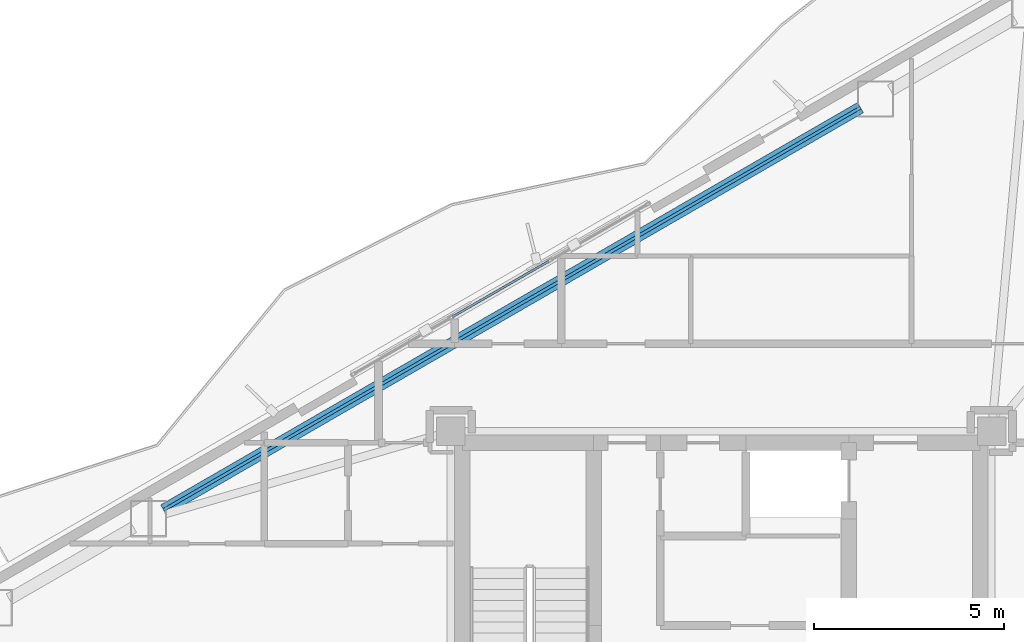
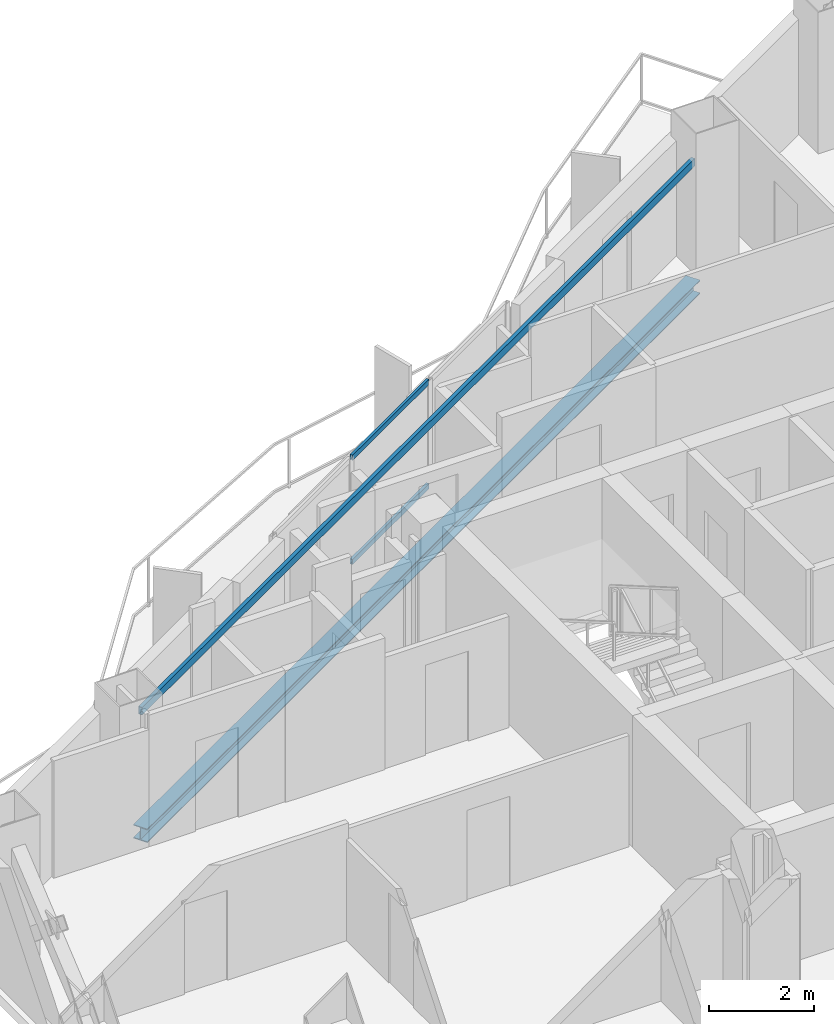
# One storey, part 9 of 22: 2 beams, 2 members, 1 element without a shape of its own.
"""IFC4 building model written with IfcOpenShell, lengths in metres."""

from ifc_helpers import new_model, si_unit, direction, frame, origin, origin_2d, place, context, subcontext, project, spatial, hollow_rectangle, i_section, extrude, material, layer, layer_set, material_profile, profile_set, type_object, element, aggregate, save


model = new_model("IFC4")

# Units and contexts
model_context = context("Model", 3, precision=1e-05, world=origin(), true_north=direction((0.0, 1.0)))
body_context = subcontext(model_context, "Body", "Model", "MODEL_VIEW")
ifc_project = project(units=[si_unit("LENGTHUNIT", "METRE"), si_unit("AREAUNIT", "SQUARE_METRE"), si_unit("VOLUMEUNIT", "CUBIC_METRE"), si_unit("PLANEANGLEUNIT", "RADIAN"), si_unit("MASSUNIT", "GRAM", prefix="KILO")], contexts=[model_context])

# Site, building, storey
site_placement = place(None, origin())
site = spatial("IfcSite", under=ifc_project, at=site_placement, CompositionType="ELEMENT")
building_placement = place(site_placement, origin())
building = spatial("IfcBuilding", under=site, at=building_placement, Name="Mersakhor Tower and Convention Hall", CompositionType="ELEMENT")
storey_placement = place(building_placement, frame((0.0, 0.0, 188.699951171875)))
storey = spatial("IfcBuildingStorey", under=building, at=storey_placement, Name="L52", CompositionType="ELEMENT", Elevation=188.699951171875)

# Beams
ifc_material_1 = material(Name="Steel S355", Category="steel")
ifc_material_profile_1 = material_profile(ifc_material_1, hollow_rectangle(XDim=0.080078125, YDim=0.179931640625, WallThickness=0.008056640625, at=origin_2d()), Name="RHS 180x80x8")
ifc_profile_set_1 = profile_set([ifc_material_profile_1], Name="Steel S355")
beam_type_1 = type_object("IfcBeamType", Name="BM-GRT-RHS180", PredefinedType="USERDEFINED", material=ifc_profile_set_1)
beam_1_placement = place(storey_placement, frame((14.353759765625, 30.982421875, 2.47998046875), z_axis=(0.866028813665, 0.499994093867, 0.0), x_axis=(-0.499994093867, 0.866028813665, 0.0)))
element("IfcBeam", 1, at=beam_1_placement, inside=storey, type_object=beam_type_1, Name="L52 Facade Support Girt GRT-F1", ObjectType="GIRT", PredefinedType="USERDEFINED", context=body_context, shape_type="SweptSolid", body=[
    extrude(hollow_rectangle(XDim=0.080078125, YDim=0.179931640625, WallThickness=0.008056640625, at=origin_2d()), origin(), (0.0, 0.0, 1.0), 21.135498046875),
])
ifc_material_2 = material(Name="Steel S355", Category="steel")
ifc_material_profile_2 = material_profile(ifc_material_2, i_section(OverallWidth=0.30908203125, OverallDepth=0.320556640625, WebThickness=0.013916015625, FlangeThickness=0.021728515625, at=origin_2d()), Name="UC 305x305x137")
ifc_profile_set_2 = profile_set([ifc_material_profile_2], Name="Steel S355")
beam_type_2 = type_object("IfcBeamType", Name="BM-SPD-UC305", PredefinedType="SPANDREL", material=ifc_profile_set_2)
beam_2_placement = place(storey_placement, frame((14.353759765625, 30.982421875, -0.39013671875), z_axis=(0.866028813665, 0.499994093867, 0.0), x_axis=(-0.499994093867, 0.866028813665, 0.0)))
element("IfcBeam", 2, at=beam_2_placement, inside=storey, type_object=beam_type_2, Name="L52 Perimeter Spandrel Beam SPB-02", PredefinedType="SPANDREL", context=body_context, shape_type="SweptSolid", body=[
    extrude(i_section(OverallWidth=0.30908203125, OverallDepth=0.320556640625, WebThickness=0.013916015625, FlangeThickness=0.021728515625, at=origin_2d()), origin(), (0.0, 0.0, 1.0), 21.135498046875),
])

# Curtain wall, members
ifc_material_3 = material(Name="Dark solar low-E aluminium curtain wall", Category="aluminium")
ifc_layer = layer(ifc_material_3, 0.169921875)
ifc_layer_set = layer_set([ifc_layer], Name="Dark solar low-E aluminium curtain wall")
curtain_wall_type = type_object("IfcCurtainWallType", Name="CW-SYS-02", PredefinedType="USERDEFINED", material=ifc_layer_set)
curtain_wall_placement = place(storey_placement, origin())
curtain_wall = element("IfcCurtainWall", 3, at=curtain_wall_placement, inside=storey, type_object=curtain_wall_type, Name="L52 Dark-Glass Curtain Wall F1-B2", ObjectType="CURTAIN WALL", PredefinedType="USERDEFINED")
ifc_material_4 = material(Name="Anodised aluminium EN AW-6063 T6", Category="aluminium")
ifc_material_profile_3 = material_profile(ifc_material_4, hollow_rectangle(XDim=0.06005859375, YDim=0.1201171875, WallThickness=0.0048828125, at=origin_2d()), Name="RHS 120x60x5")
ifc_profile_set_3 = profile_set([ifc_material_profile_3], Name="Anodised aluminium EN AW-6063 T6")
member_type = type_object("IfcMemberType", Name="CWT-120x60", PredefinedType="USERDEFINED", material=ifc_profile_set_3)
member_1_placement = place(storey_placement, frame((21.939453125, 36.0546875, 0.22998046875), z_axis=(0.866004860328, 0.500035580622, 0.0), x_axis=(-0.500035580622, 0.866004860328, 0.0)))
member_1 = element("IfcMember", 4, at=member_1_placement, type_object=member_type, Name="CW-02 transom 2.1", ObjectType="TRANSOM", PredefinedType="USERDEFINED", context=body_context, shape_type="SweptSolid", body=[
    extrude(hollow_rectangle(XDim=0.06005859375, YDim=0.1201171875, WallThickness=0.0048828125, at=origin_2d()), origin(), (0.0, 0.0, 1.0), 2.924560546875),
])
member_2_placement = place(storey_placement, frame((21.939453125, 36.0546875, 2.66015625), z_axis=(0.866004860328, 0.500035580622, 0.0), x_axis=(-0.500035580622, 0.866004860328, 0.0)))
member_2 = element("IfcMember", 5, at=member_2_placement, type_object=member_type, Name="CW-02 transom 2.2", ObjectType="TRANSOM", PredefinedType="USERDEFINED", context=body_context, shape_type="SweptSolid", body=[
    extrude(hollow_rectangle(XDim=0.06005859375, YDim=0.1201171875, WallThickness=0.0048828125, at=origin_2d()), origin(), (0.0, 0.0, 1.0), 2.924560546875),
])
aggregate(curtain_wall, [member_1, member_2])

save(model, "model.ifc")
